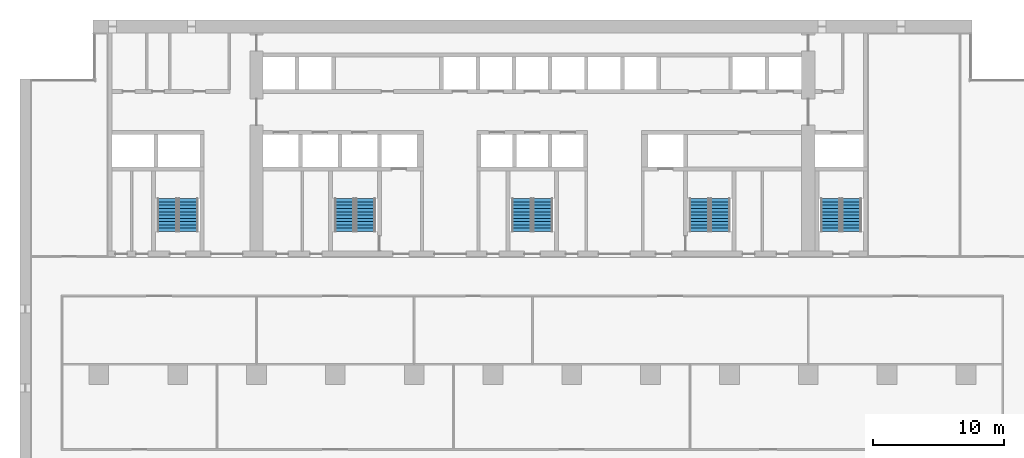
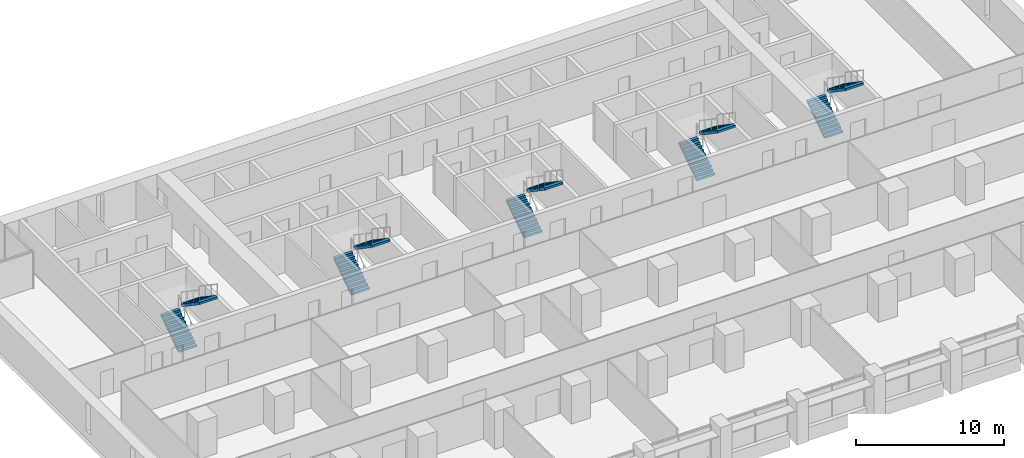
# One storey, part 14 of 18: 10 stair flights, 5 elements without a shape of their own.
"""IFC4 building model written with IfcOpenShell, lengths in metres."""

from ifc_helpers import new_model, si_unit, direction, frame, origin, place, context, subcontext, project, spatial, polyline, outline, extrude, material, type_object, element, aggregate, save


model = new_model("IFC4")

# Units and contexts
model_context = context("Model", 3, precision=1e-05, world=origin(), true_north=direction((0.0, 1.0)))
body_context = subcontext(model_context, "Body", "Model", "MODEL_VIEW")
ifc_project = project(units=[si_unit("LENGTHUNIT", "METRE"), si_unit("AREAUNIT", "SQUARE_METRE"), si_unit("VOLUMEUNIT", "CUBIC_METRE"), si_unit("PLANEANGLEUNIT", "RADIAN"), si_unit("MASSUNIT", "GRAM", prefix="KILO")], contexts=[model_context])

# Site, building, storey
site_placement = place(None, origin())
site = spatial("IfcSite", under=ifc_project, at=site_placement, CompositionType="ELEMENT")
building_placement = place(site_placement, origin())
building = spatial("IfcBuilding", under=site, at=building_placement, Name="Calvaro Tower", CompositionType="ELEMENT")
storey_placement = place(building_placement, frame((0.0, 0.0, 86.25)))
storey = spatial("IfcBuildingStorey", under=building, at=storey_placement, Name="L21", CompositionType="ELEMENT", Elevation=86.25)

# Stair, stair flights
ifc_material_1 = material(Name="Concrete C40/50", Category="concrete")
stair_type = type_object("IfcStairType", Name="Exit stair 1400 2 flights", PredefinedType="HALF_TURN_STAIR", material=ifc_material_1)
stair_1_placement = place(storey_placement, origin())
stair_1 = element("IfcStair", 1, at=stair_1_placement, inside=storey, type_object=stair_type, Name="Exit stair S1", PredefinedType="HALF_TURN_STAIR")
ifc_material_2 = material(Name="Concrete C40/50", Category="concrete")
stair_flight_type = type_object("IfcStairFlightType", Name="Stair flight", PredefinedType="STRAIGHT", material=ifc_material_2)
stair_flight_1_placement = place(storey_placement, frame((11.199951171875, 29.89990234375, 0.0), z_axis=(0.0, 0.0, 1.0), x_axis=(0.0, 1.0, 0.0)))
stair_flight_1 = element("IfcStairFlight", 2, at=stair_flight_1_placement, type_object=stair_flight_type, Name="Exit stair 1, flight 1", NumberOfRisers=11, NumberOfTreads=10, PredefinedType="STRAIGHT", RiserHeight=0.170454545, TreadLength=0.25, context=body_context, shape_type="SweptSolid", body=[
    extrude(outline(polyline([(0.0, 0.0), (0.0, 0.17041015625), (0.25, 0.17041015625), (0.25, 0.3408203125), (0.5, 0.3408203125), (0.5, 0.511474609375), (0.75, 0.511474609375), (0.75, 0.681884765625), (1.0, 0.681884765625), (1.0, 0.852294921875), (1.25, 0.852294921875), (1.25, 1.022705078125), (1.5, 1.022705078125), (1.5, 1.193115234375), (1.75, 1.193115234375), (1.75, 1.363525390625), (2.0, 1.363525390625), (2.0, 1.5341796875), (2.25, 1.5341796875), (2.25, 1.70458984375), (2.5, 1.70458984375), (2.5, 1.875), (2.5, 1.523193359375), (0.26611328125, 0.0), (0.0, 0.0)])), frame((0.0, 0.699951171875, 0.0), z_axis=(0.0, -1.0, 0.0), x_axis=(1.0, 0.0, 0.0)), (0.0, 0.0, 1.0), 1.39990234375),
])
stair_flight_2_placement = place(storey_placement, frame((12.800048828125, 32.39990234375, 1.875), z_axis=(0.0, 0.0, 1.0), x_axis=(0.0, -1.0, 0.0)))
stair_flight_2 = element("IfcStairFlight", 3, at=stair_flight_2_placement, type_object=stair_flight_type, Name="Exit stair 1, flight 2", NumberOfRisers=11, NumberOfTreads=10, PredefinedType="STRAIGHT", RiserHeight=0.170454545, TreadLength=0.25, context=body_context, shape_type="SweptSolid", body=[
    extrude(outline(polyline([(0.0, 0.0), (0.0, 0.17041015625), (0.25, 0.17041015625), (0.25, 0.3408203125), (0.5, 0.3408203125), (0.5, 0.511474609375), (0.75, 0.511474609375), (0.75, 0.681884765625), (1.0, 0.681884765625), (1.0, 0.852294921875), (1.25, 0.852294921875), (1.25, 1.022705078125), (1.5, 1.022705078125), (1.5, 1.193115234375), (1.75, 1.193115234375), (1.75, 1.363525390625), (2.0, 1.363525390625), (2.0, 1.5341796875), (2.25, 1.5341796875), (2.25, 1.70458984375), (2.5, 1.70458984375), (2.5, 1.875), (2.5, 1.523193359375), (0.26611328125, 0.0), (0.0, 0.0)])), frame((0.0, 0.699951171875, 0.0), z_axis=(0.0, -1.0, 0.0), x_axis=(1.0, 0.0, 0.0)), (0.0, 0.0, 1.0), 1.39990234375),
])
aggregate(stair_1, [stair_flight_1, stair_flight_2])

stair_2_placement = place(storey_placement, origin())
stair_2 = element("IfcStair", 4, at=stair_2_placement, inside=storey, type_object=stair_type, Name="Exit stair S2", PredefinedType="HALF_TURN_STAIR")
stair_flight_3_placement = place(storey_placement, frame((24.699951171875, 29.89990234375, 0.0), z_axis=(0.0, 0.0, 1.0), x_axis=(0.0, 1.0, 0.0)))
stair_flight_3 = element("IfcStairFlight", 5, at=stair_flight_3_placement, type_object=stair_flight_type, Name="Exit stair 2, flight 1", NumberOfRisers=11, NumberOfTreads=10, PredefinedType="STRAIGHT", RiserHeight=0.170454545, TreadLength=0.25, context=body_context, shape_type="SweptSolid", body=[
    extrude(outline(polyline([(0.0, 0.0), (0.0, 0.17041015625), (0.25, 0.17041015625), (0.25, 0.3408203125), (0.5, 0.3408203125), (0.5, 0.511474609375), (0.75, 0.511474609375), (0.75, 0.681884765625), (1.0, 0.681884765625), (1.0, 0.852294921875), (1.25, 0.852294921875), (1.25, 1.022705078125), (1.5, 1.022705078125), (1.5, 1.193115234375), (1.75, 1.193115234375), (1.75, 1.363525390625), (2.0, 1.363525390625), (2.0, 1.5341796875), (2.25, 1.5341796875), (2.25, 1.70458984375), (2.5, 1.70458984375), (2.5, 1.875), (2.5, 1.523193359375), (0.26611328125, 0.0), (0.0, 0.0)])), frame((0.0, 0.699951171875, 0.0), z_axis=(0.0, -1.0, 0.0), x_axis=(1.0, 0.0, 0.0)), (0.0, 0.0, 1.0), 1.39990234375),
])
stair_flight_4_placement = place(storey_placement, frame((26.300048828125, 32.39990234375, 1.875), z_axis=(0.0, 0.0, 1.0), x_axis=(0.0, -1.0, 0.0)))
stair_flight_4 = element("IfcStairFlight", 6, at=stair_flight_4_placement, type_object=stair_flight_type, Name="Exit stair 2, flight 2", NumberOfRisers=11, NumberOfTreads=10, PredefinedType="STRAIGHT", RiserHeight=0.170454545, TreadLength=0.25, context=body_context, shape_type="SweptSolid", body=[
    extrude(outline(polyline([(0.0, 0.0), (0.0, 0.17041015625), (0.25, 0.17041015625), (0.25, 0.3408203125), (0.5, 0.3408203125), (0.5, 0.511474609375), (0.75, 0.511474609375), (0.75, 0.681884765625), (1.0, 0.681884765625), (1.0, 0.852294921875), (1.25, 0.852294921875), (1.25, 1.022705078125), (1.5, 1.022705078125), (1.5, 1.193115234375), (1.75, 1.193115234375), (1.75, 1.363525390625), (2.0, 1.363525390625), (2.0, 1.5341796875), (2.25, 1.5341796875), (2.25, 1.70458984375), (2.5, 1.70458984375), (2.5, 1.875), (2.5, 1.523193359375), (0.26611328125, 0.0), (0.0, 0.0)])), frame((0.0, 0.699951171875, 0.0), z_axis=(0.0, -1.0, 0.0), x_axis=(1.0, 0.0, 0.0)), (0.0, 0.0, 1.0), 1.39990234375),
])
aggregate(stair_2, [stair_flight_3, stair_flight_4])

stair_3_placement = place(storey_placement, origin())
stair_3 = element("IfcStair", 7, at=stair_3_placement, inside=storey, type_object=stair_type, Name="Exit stair S3", PredefinedType="HALF_TURN_STAIR")
stair_flight_5_placement = place(storey_placement, frame((38.199951171875, 29.89990234375, 0.0), z_axis=(0.0, 0.0, 1.0), x_axis=(0.0, 1.0, 0.0)))
stair_flight_5 = element("IfcStairFlight", 8, at=stair_flight_5_placement, type_object=stair_flight_type, Name="Exit stair 3, flight 1", NumberOfRisers=11, NumberOfTreads=10, PredefinedType="STRAIGHT", RiserHeight=0.170454545, TreadLength=0.25, context=body_context, shape_type="SweptSolid", body=[
    extrude(outline(polyline([(0.0, 0.0), (0.0, 0.17041015625), (0.25, 0.17041015625), (0.25, 0.3408203125), (0.5, 0.3408203125), (0.5, 0.511474609375), (0.75, 0.511474609375), (0.75, 0.681884765625), (1.0, 0.681884765625), (1.0, 0.852294921875), (1.25, 0.852294921875), (1.25, 1.022705078125), (1.5, 1.022705078125), (1.5, 1.193115234375), (1.75, 1.193115234375), (1.75, 1.363525390625), (2.0, 1.363525390625), (2.0, 1.5341796875), (2.25, 1.5341796875), (2.25, 1.70458984375), (2.5, 1.70458984375), (2.5, 1.875), (2.5, 1.523193359375), (0.26611328125, 0.0), (0.0, 0.0)])), frame((0.0, 0.699951171875, 0.0), z_axis=(0.0, -1.0, 0.0), x_axis=(1.0, 0.0, 0.0)), (0.0, 0.0, 1.0), 1.39990234375),
])
stair_flight_6_placement = place(storey_placement, frame((39.800048828125, 32.39990234375, 1.875), z_axis=(0.0, 0.0, 1.0), x_axis=(0.0, -1.0, 0.0)))
stair_flight_6 = element("IfcStairFlight", 9, at=stair_flight_6_placement, type_object=stair_flight_type, Name="Exit stair 3, flight 2", NumberOfRisers=11, NumberOfTreads=10, PredefinedType="STRAIGHT", RiserHeight=0.170454545, TreadLength=0.25, context=body_context, shape_type="SweptSolid", body=[
    extrude(outline(polyline([(0.0, 0.0), (0.0, 0.17041015625), (0.25, 0.17041015625), (0.25, 0.3408203125), (0.5, 0.3408203125), (0.5, 0.511474609375), (0.75, 0.511474609375), (0.75, 0.681884765625), (1.0, 0.681884765625), (1.0, 0.852294921875), (1.25, 0.852294921875), (1.25, 1.022705078125), (1.5, 1.022705078125), (1.5, 1.193115234375), (1.75, 1.193115234375), (1.75, 1.363525390625), (2.0, 1.363525390625), (2.0, 1.5341796875), (2.25, 1.5341796875), (2.25, 1.70458984375), (2.5, 1.70458984375), (2.5, 1.875), (2.5, 1.523193359375), (0.26611328125, 0.0), (0.0, 0.0)])), frame((0.0, 0.699951171875, 0.0), z_axis=(0.0, -1.0, 0.0), x_axis=(1.0, 0.0, 0.0)), (0.0, 0.0, 1.0), 1.39990234375),
])
aggregate(stair_3, [stair_flight_5, stair_flight_6])

stair_4_placement = place(storey_placement, origin())
stair_4 = element("IfcStair", 10, at=stair_4_placement, inside=storey, type_object=stair_type, Name="Exit stair S4", PredefinedType="HALF_TURN_STAIR")
stair_flight_7_placement = place(storey_placement, frame((51.699951171875, 29.89990234375, 0.0), z_axis=(0.0, 0.0, 1.0), x_axis=(0.0, 1.0, 0.0)))
stair_flight_7 = element("IfcStairFlight", 11, at=stair_flight_7_placement, type_object=stair_flight_type, Name="Exit stair 4, flight 1", NumberOfRisers=11, NumberOfTreads=10, PredefinedType="STRAIGHT", RiserHeight=0.170454545, TreadLength=0.25, context=body_context, shape_type="SweptSolid", body=[
    extrude(outline(polyline([(0.0, 0.0), (0.0, 0.17041015625), (0.25, 0.17041015625), (0.25, 0.3408203125), (0.5, 0.3408203125), (0.5, 0.511474609375), (0.75, 0.511474609375), (0.75, 0.681884765625), (1.0, 0.681884765625), (1.0, 0.852294921875), (1.25, 0.852294921875), (1.25, 1.022705078125), (1.5, 1.022705078125), (1.5, 1.193115234375), (1.75, 1.193115234375), (1.75, 1.363525390625), (2.0, 1.363525390625), (2.0, 1.5341796875), (2.25, 1.5341796875), (2.25, 1.70458984375), (2.5, 1.70458984375), (2.5, 1.875), (2.5, 1.523193359375), (0.26611328125, 0.0), (0.0, 0.0)])), frame((0.0, 0.699951171875, 0.0), z_axis=(0.0, -1.0, 0.0), x_axis=(1.0, 0.0, 0.0)), (0.0, 0.0, 1.0), 1.39990234375),
])
stair_flight_8_placement = place(storey_placement, frame((53.300048828125, 32.39990234375, 1.875), z_axis=(0.0, 0.0, 1.0), x_axis=(0.0, -1.0, 0.0)))
stair_flight_8 = element("IfcStairFlight", 12, at=stair_flight_8_placement, type_object=stair_flight_type, Name="Exit stair 4, flight 2", NumberOfRisers=11, NumberOfTreads=10, PredefinedType="STRAIGHT", RiserHeight=0.170454545, TreadLength=0.25, context=body_context, shape_type="SweptSolid", body=[
    extrude(outline(polyline([(0.0, 0.0), (0.0, 0.17041015625), (0.25, 0.17041015625), (0.25, 0.3408203125), (0.5, 0.3408203125), (0.5, 0.511474609375), (0.75, 0.511474609375), (0.75, 0.681884765625), (1.0, 0.681884765625), (1.0, 0.852294921875), (1.25, 0.852294921875), (1.25, 1.022705078125), (1.5, 1.022705078125), (1.5, 1.193115234375), (1.75, 1.193115234375), (1.75, 1.363525390625), (2.0, 1.363525390625), (2.0, 1.5341796875), (2.25, 1.5341796875), (2.25, 1.70458984375), (2.5, 1.70458984375), (2.5, 1.875), (2.5, 1.523193359375), (0.26611328125, 0.0), (0.0, 0.0)])), frame((0.0, 0.699951171875, 0.0), z_axis=(0.0, -1.0, 0.0), x_axis=(1.0, 0.0, 0.0)), (0.0, 0.0, 1.0), 1.39990234375),
])
aggregate(stair_4, [stair_flight_7, stair_flight_8])

stair_5_placement = place(storey_placement, origin())
stair_5 = element("IfcStair", 13, at=stair_5_placement, inside=storey, type_object=stair_type, Name="Exit stair S5", PredefinedType="HALF_TURN_STAIR")
stair_flight_9_placement = place(storey_placement, frame((61.699951171875, 29.89990234375, 0.0), z_axis=(0.0, 0.0, 1.0), x_axis=(0.0, 1.0, 0.0)))
stair_flight_9 = element("IfcStairFlight", 14, at=stair_flight_9_placement, type_object=stair_flight_type, Name="Exit stair 5, flight 1", NumberOfRisers=11, NumberOfTreads=10, PredefinedType="STRAIGHT", RiserHeight=0.170454545, TreadLength=0.25, context=body_context, shape_type="SweptSolid", body=[
    extrude(outline(polyline([(0.0, 0.0), (0.0, 0.17041015625), (0.25, 0.17041015625), (0.25, 0.3408203125), (0.5, 0.3408203125), (0.5, 0.511474609375), (0.75, 0.511474609375), (0.75, 0.681884765625), (1.0, 0.681884765625), (1.0, 0.852294921875), (1.25, 0.852294921875), (1.25, 1.022705078125), (1.5, 1.022705078125), (1.5, 1.193115234375), (1.75, 1.193115234375), (1.75, 1.363525390625), (2.0, 1.363525390625), (2.0, 1.5341796875), (2.25, 1.5341796875), (2.25, 1.70458984375), (2.5, 1.70458984375), (2.5, 1.875), (2.5, 1.523193359375), (0.26611328125, 0.0), (0.0, 0.0)])), frame((0.0, 0.699951171875, 0.0), z_axis=(0.0, -1.0, 0.0), x_axis=(1.0, 0.0, 0.0)), (0.0, 0.0, 1.0), 1.39990234375),
])
stair_flight_10_placement = place(storey_placement, frame((63.300048828125, 32.39990234375, 1.875), z_axis=(0.0, 0.0, 1.0), x_axis=(0.0, -1.0, 0.0)))
stair_flight_10 = element("IfcStairFlight", 15, at=stair_flight_10_placement, type_object=stair_flight_type, Name="Exit stair 5, flight 2", NumberOfRisers=11, NumberOfTreads=10, PredefinedType="STRAIGHT", RiserHeight=0.170454545, TreadLength=0.25, context=body_context, shape_type="SweptSolid", body=[
    extrude(outline(polyline([(0.0, 0.0), (0.0, 0.17041015625), (0.25, 0.17041015625), (0.25, 0.3408203125), (0.5, 0.3408203125), (0.5, 0.511474609375), (0.75, 0.511474609375), (0.75, 0.681884765625), (1.0, 0.681884765625), (1.0, 0.852294921875), (1.25, 0.852294921875), (1.25, 1.022705078125), (1.5, 1.022705078125), (1.5, 1.193115234375), (1.75, 1.193115234375), (1.75, 1.363525390625), (2.0, 1.363525390625), (2.0, 1.5341796875), (2.25, 1.5341796875), (2.25, 1.70458984375), (2.5, 1.70458984375), (2.5, 1.875), (2.5, 1.523193359375), (0.26611328125, 0.0), (0.0, 0.0)])), frame((0.0, 0.699951171875, 0.0), z_axis=(0.0, -1.0, 0.0), x_axis=(1.0, 0.0, 0.0)), (0.0, 0.0, 1.0), 1.39990234375),
])
aggregate(stair_5, [stair_flight_9, stair_flight_10])

save(model, "model.ifc")
